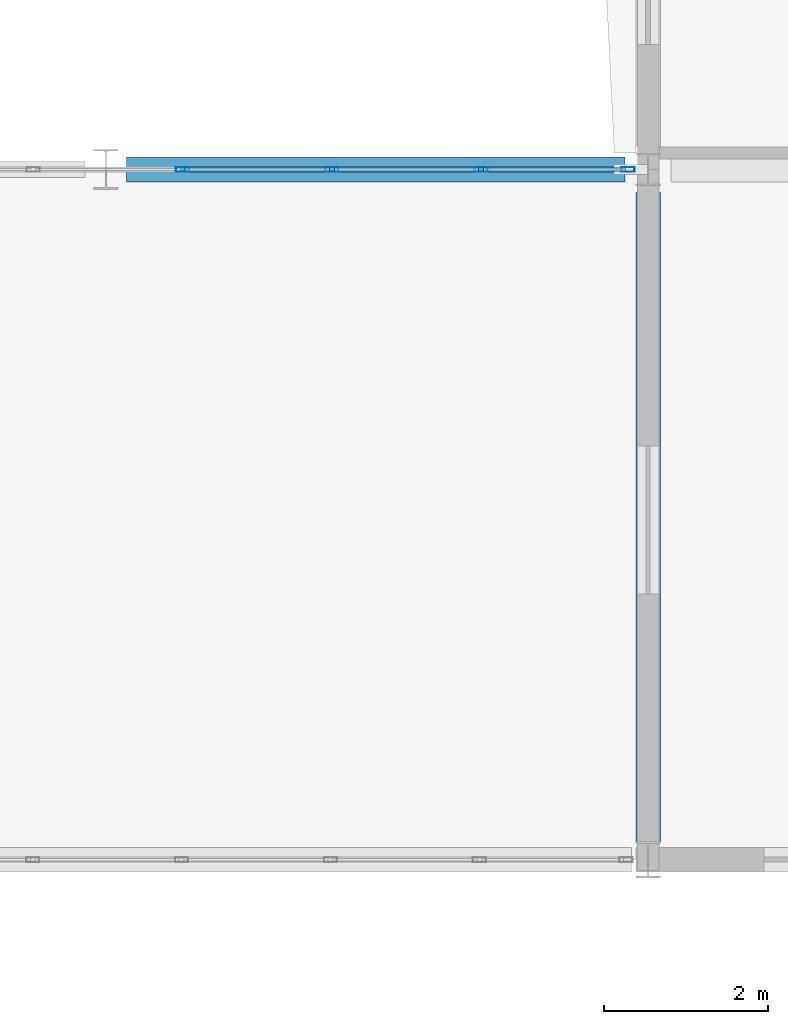
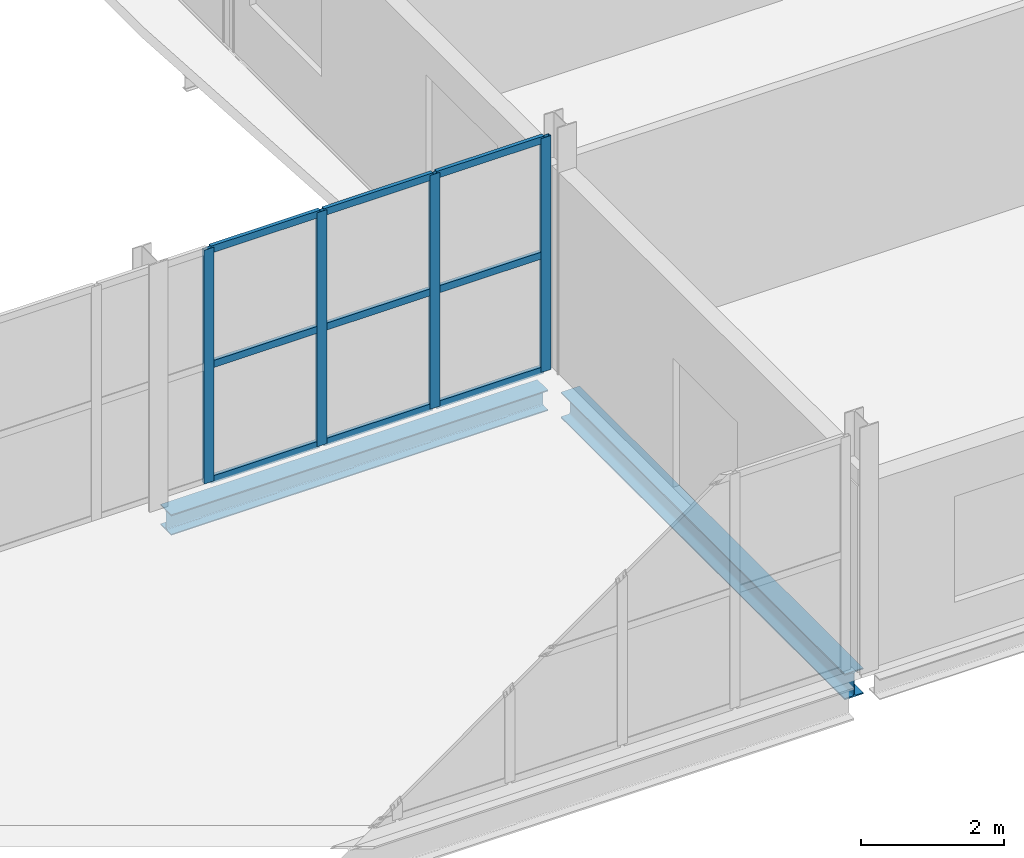
# One storey, part 69 of 121: 13 members, 2 beams, 1 element without a shape of its own.
"""IFC4 building model written with IfcOpenShell, lengths in metres."""

from ifc_helpers import new_model, si_unit, direction, frame, origin, origin_2d, place, context, subcontext, project, spatial, hollow_rectangle, i_section, extrude, material, layer, layer_set, material_profile, profile_set, type_object, element, aggregate, save


model = new_model("IFC4")

# Units and contexts
model_context = context("Model", 3, precision=1e-05, world=origin(), true_north=direction((0.0, 1.0)))
body_context = subcontext(model_context, "Body", "Model", "MODEL_VIEW")
ifc_project = project(units=[si_unit("LENGTHUNIT", "METRE"), si_unit("AREAUNIT", "SQUARE_METRE"), si_unit("VOLUMEUNIT", "CUBIC_METRE"), si_unit("PLANEANGLEUNIT", "RADIAN"), si_unit("MASSUNIT", "GRAM", prefix="KILO")], contexts=[model_context])

# Site, building, storey
site_placement = place(None, origin())
site = spatial("IfcSite", under=ifc_project, at=site_placement, CompositionType="ELEMENT")
building_placement = place(site_placement, origin())
building = spatial("IfcBuilding", under=site, at=building_placement, Name="Vinh Khe Railworks Police Headquarters", CompositionType="ELEMENT")
storey_placement = place(building_placement, frame((0.0, 0.0, 4.800048828125)))
storey = spatial("IfcBuildingStorey", under=building, at=storey_placement, Name="L01", CompositionType="ELEMENT", Elevation=4.800048828125)

# Curtain wall, members
ifc_material_1 = material(Name="Anodised aluminium and solar-control glass", Category="aluminium")
ifc_layer = layer(ifc_material_1, 0.159912109375)
ifc_layer_set = layer_set([ifc_layer], Name="Anodised aluminium and solar-control glass")
curtain_wall_type = type_object("IfcCurtainWallType", Name="CW-SHOPFRONT", PredefinedType="USERDEFINED", material=ifc_layer_set)
curtain_wall_placement = place(storey_placement, origin())
curtain_wall = element("IfcCurtainWall", 1, at=curtain_wall_placement, inside=storey, type_object=curtain_wall_type, Name="Link Bridge North Glazing L01 Bay 6", ObjectType="UNITISED GLAZING", PredefinedType="USERDEFINED")
ifc_material_2 = material(Name="Anodised aluminium 6063-T6", Category="aluminium")
ifc_material_profile_1 = material_profile(ifc_material_2, hollow_rectangle(XDim=0.06005859375, YDim=0.159912109375, WallThickness=0.00390625, at=origin_2d()), Name="CW-M 60x160x4")
ifc_profile_set_1 = profile_set([ifc_material_profile_1], Name="Anodised aluminium 6063-T6")
member_type_1 = type_object("IfcMemberType", Name="MULL-CWM-01", PredefinedType="MULLION", material=ifc_profile_set_1)
member_1_placement = place(storey_placement, frame((72.333984375, 104.39990234375, 0.0), z_axis=(0.0, 0.0, 1.0), x_axis=(0.0, 1.0, 0.0)))
member_1 = element("IfcMember", 2, at=member_1_placement, type_object=member_type_1, Name="CW-03 mullion 3", PredefinedType="MULLION", context=body_context, shape_type="SweptSolid", body=[
    extrude(hollow_rectangle(XDim=0.06005859375, YDim=0.159912109375, WallThickness=0.00390625, at=origin_2d()), origin(), (0.0, 0.0, 1.0), 3.97998046875),
])
member_2_placement = place(storey_placement, frame((74.15087890625, 104.39990234375, 0.0), z_axis=(0.0, 0.0, 1.0), x_axis=(0.0, 1.0, 0.0)))
member_2 = element("IfcMember", 3, at=member_2_placement, type_object=member_type_1, Name="CW-03 mullion 4", PredefinedType="MULLION", context=body_context, shape_type="SweptSolid", body=[
    extrude(hollow_rectangle(XDim=0.06005859375, YDim=0.159912109375, WallThickness=0.00390625, at=origin_2d()), origin(), (0.0, 0.0, 1.0), 3.97998046875),
])
member_3_placement = place(storey_placement, frame((75.968017578125, 104.39990234375, 0.0), z_axis=(0.0, 0.0, 1.0), x_axis=(0.0, 1.0, 0.0)))
member_3 = element("IfcMember", 4, at=member_3_placement, type_object=member_type_1, Name="CW-03 mullion 5", PredefinedType="MULLION", context=body_context, shape_type="SweptSolid", body=[
    extrude(hollow_rectangle(XDim=0.06005859375, YDim=0.159912109375, WallThickness=0.00390625, at=origin_2d()), origin(), (0.0, 0.0, 1.0), 3.97998046875),
])
member_4_placement = place(storey_placement, frame((77.7548828125, 104.39990234375, 0.0), z_axis=(0.0, 0.0, 1.0), x_axis=(0.0, 1.0, 0.0)))
member_4 = element("IfcMember", 5, at=member_4_placement, type_object=member_type_1, Name="CW-03 mullion 6", PredefinedType="MULLION", context=body_context, shape_type="SweptSolid", body=[
    extrude(hollow_rectangle(XDim=0.06005859375, YDim=0.159912109375, WallThickness=0.00390625, at=origin_2d()), origin(), (0.0, 0.0, 1.0), 3.97998046875),
])

# Beams
ifc_material_3 = material(Name="Steel S355JR", Category="steel")
ifc_material_profile_2 = material_profile(ifc_material_3, i_section(OverallWidth=0.300048828125, OverallDepth=0.35009765625, WebThickness=0.010009765625, FlangeThickness=0.017578125, FilletRadius=0.027099609375, at=origin_2d()), Name="HEA 360")
ifc_profile_set_2 = profile_set([ifc_material_profile_2], Name="Steel S355JR")
beam_type_1 = type_object("IfcBeamType", Name="Steel Girder HEA 360", PredefinedType="BEAM", material=ifc_profile_set_2)
beam_1_placement = place(storey_placement, frame((71.655029296875, 104.39990234375, -0.4150390625), z_axis=(1.0, 0.0, 0.0), x_axis=(0.0, 1.0, 0.0)))
element("IfcBeam", 6, at=beam_1_placement, inside=storey, type_object=beam_type_1, Name="Girder BM-L01-EW-SB-15-0499", PredefinedType="BEAM", context=body_context, shape_type="SweptSolid", body=[
    extrude(i_section(OverallWidth=0.300048828125, OverallDepth=0.35009765625, WebThickness=0.010009765625, FlangeThickness=0.017578125, FilletRadius=0.027099609375, at=origin_2d()), origin(), (0.0, 0.0, 1.0), 6.06494140625),
])
ifc_material_profile_3 = material_profile(ifc_material_3, i_section(OverallWidth=0.300048828125, OverallDepth=0.43994140625, WebThickness=0.011474609375, FlangeThickness=0.02099609375, FilletRadius=0.027099609375, at=origin_2d()), Name="HEA 450")
ifc_profile_set_3 = profile_set([ifc_material_profile_3], Name="Steel S355JR")
beam_type_2 = type_object("IfcBeamType", Name="Steel Girder HEA 450", PredefinedType="BEAM", material=ifc_profile_set_3)
beam_2_placement = place(storey_placement, frame((78.0, 96.205078125, -0.4599609375), z_axis=(0.0, 1.0, 0.0), x_axis=(-1.0, 0.0, 0.0)))
element("IfcBeam", 7, at=beam_2_placement, inside=storey, type_object=beam_type_2, Name="Girder BM-L01-NS-SB-13-0670", PredefinedType="BEAM", context=body_context, shape_type="SweptSolid", body=[
    extrude(i_section(OverallWidth=0.300048828125, OverallDepth=0.43994140625, WebThickness=0.011474609375, FlangeThickness=0.02099609375, FilletRadius=0.027099609375, at=origin_2d()), origin(), (0.0, 0.0, 1.0), 7.9150390625),
])

# Member
ifc_material_profile_4 = material_profile(ifc_material_2, hollow_rectangle(XDim=0.06005859375, YDim=0.1201171875, WallThickness=0.00390625, at=origin_2d()), Name="CW-T 60x120x4")
ifc_profile_set_4 = profile_set([ifc_material_profile_4], Name="Anodised aluminium 6063-T6")
member_type_2 = type_object("IfcMemberType", Name="TRAN-CWT-01", PredefinedType="USERDEFINED", material=ifc_profile_set_4)
member_5_placement = place(storey_placement, frame((72.364013671875, 104.39990234375, 0.030029296875), z_axis=(1.0, 0.0, 0.0), x_axis=(0.0, 1.0, 0.0)))
member_5 = element("IfcMember", 8, at=member_5_placement, type_object=member_type_2, Name="CW-03 transom 3.1", ObjectType="TRANSOM", PredefinedType="USERDEFINED", context=body_context, shape_type="SweptSolid", body=[
    extrude(hollow_rectangle(XDim=0.06005859375, YDim=0.1201171875, WallThickness=0.00390625, at=origin_2d()), origin(), (0.0, 0.0, 1.0), 1.757080078125),
])

member_6_placement = place(storey_placement, frame((72.364013671875, 104.39990234375, 1.989990234375), z_axis=(1.0, 0.0, 0.0), x_axis=(0.0, 1.0, 0.0)))
member_6 = element("IfcMember", 9, at=member_6_placement, type_object=member_type_2, Name="CW-03 transom 3.2", ObjectType="TRANSOM", PredefinedType="USERDEFINED", context=body_context, shape_type="SweptSolid", body=[
    extrude(hollow_rectangle(XDim=0.06005859375, YDim=0.1201171875, WallThickness=0.00390625, at=origin_2d()), origin(), (0.0, 0.0, 1.0), 1.757080078125),
])

member_7_placement = place(storey_placement, frame((72.364013671875, 104.39990234375, 3.949951171875), z_axis=(1.0, 0.0, 0.0), x_axis=(0.0, 1.0, 0.0)))
member_7 = element("IfcMember", 10, at=member_7_placement, type_object=member_type_2, Name="CW-03 transom 3.3", ObjectType="TRANSOM", PredefinedType="USERDEFINED", context=body_context, shape_type="SweptSolid", body=[
    extrude(hollow_rectangle(XDim=0.06005859375, YDim=0.1201171875, WallThickness=0.00390625, at=origin_2d()), origin(), (0.0, 0.0, 1.0), 1.757080078125),
])

member_8_placement = place(storey_placement, frame((74.180908203125, 104.39990234375, 0.030029296875), z_axis=(1.0, 0.0, 0.0), x_axis=(0.0, 1.0, 0.0)))
member_8 = element("IfcMember", 11, at=member_8_placement, type_object=member_type_2, Name="CW-03 transom 4.1", ObjectType="TRANSOM", PredefinedType="USERDEFINED", context=body_context, shape_type="SweptSolid", body=[
    extrude(hollow_rectangle(XDim=0.06005859375, YDim=0.1201171875, WallThickness=0.00390625, at=origin_2d()), origin(), (0.0, 0.0, 1.0), 1.757080078125),
])

member_9_placement = place(storey_placement, frame((74.180908203125, 104.39990234375, 1.989990234375), z_axis=(1.0, 0.0, 0.0), x_axis=(0.0, 1.0, 0.0)))
member_9 = element("IfcMember", 12, at=member_9_placement, type_object=member_type_2, Name="CW-03 transom 4.2", ObjectType="TRANSOM", PredefinedType="USERDEFINED", context=body_context, shape_type="SweptSolid", body=[
    extrude(hollow_rectangle(XDim=0.06005859375, YDim=0.1201171875, WallThickness=0.00390625, at=origin_2d()), origin(), (0.0, 0.0, 1.0), 1.757080078125),
])

member_10_placement = place(storey_placement, frame((74.180908203125, 104.39990234375, 3.949951171875), z_axis=(1.0, 0.0, 0.0), x_axis=(0.0, 1.0, 0.0)))
member_10 = element("IfcMember", 13, at=member_10_placement, type_object=member_type_2, Name="CW-03 transom 4.3", ObjectType="TRANSOM", PredefinedType="USERDEFINED", context=body_context, shape_type="SweptSolid", body=[
    extrude(hollow_rectangle(XDim=0.06005859375, YDim=0.1201171875, WallThickness=0.00390625, at=origin_2d()), origin(), (0.0, 0.0, 1.0), 1.757080078125),
])

member_11_placement = place(storey_placement, frame((75.998046875, 104.39990234375, 0.030029296875), z_axis=(1.0, 0.0, 0.0), x_axis=(0.0, 1.0, 0.0)))
member_11 = element("IfcMember", 14, at=member_11_placement, type_object=member_type_2, Name="CW-03 transom 5.1", ObjectType="TRANSOM", PredefinedType="USERDEFINED", context=body_context, shape_type="SweptSolid", body=[
    extrude(hollow_rectangle(XDim=0.06005859375, YDim=0.1201171875, WallThickness=0.00390625, at=origin_2d()), origin(), (0.0, 0.0, 1.0), 1.72705078125),
])

member_12_placement = place(storey_placement, frame((75.998046875, 104.39990234375, 1.989990234375), z_axis=(1.0, 0.0, 0.0), x_axis=(0.0, 1.0, 0.0)))
member_12 = element("IfcMember", 15, at=member_12_placement, type_object=member_type_2, Name="CW-03 transom 5.2", ObjectType="TRANSOM", PredefinedType="USERDEFINED", context=body_context, shape_type="SweptSolid", body=[
    extrude(hollow_rectangle(XDim=0.06005859375, YDim=0.1201171875, WallThickness=0.00390625, at=origin_2d()), origin(), (0.0, 0.0, 1.0), 1.72705078125),
])

member_13_placement = place(storey_placement, frame((75.998046875, 104.39990234375, 3.949951171875), z_axis=(1.0, 0.0, 0.0), x_axis=(0.0, 1.0, 0.0)))
member_13 = element("IfcMember", 16, at=member_13_placement, type_object=member_type_2, Name="CW-03 transom 5.3", ObjectType="TRANSOM", PredefinedType="USERDEFINED", context=body_context, shape_type="SweptSolid", body=[
    extrude(hollow_rectangle(XDim=0.06005859375, YDim=0.1201171875, WallThickness=0.00390625, at=origin_2d()), origin(), (0.0, 0.0, 1.0), 1.72705078125),
])

aggregate(curtain_wall, [member_1, member_2, member_3, member_4, member_5, member_6, member_7, member_8, member_9, member_10, member_11, member_12, member_13])

save(model, "model.ifc")
